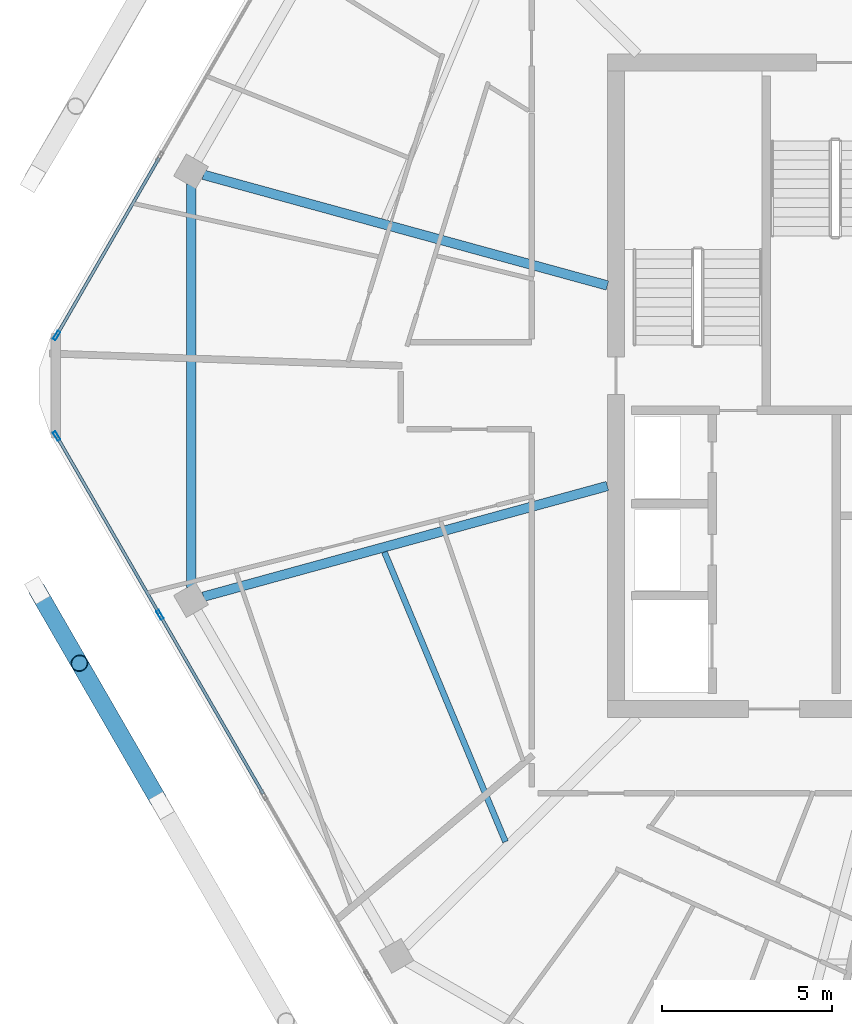
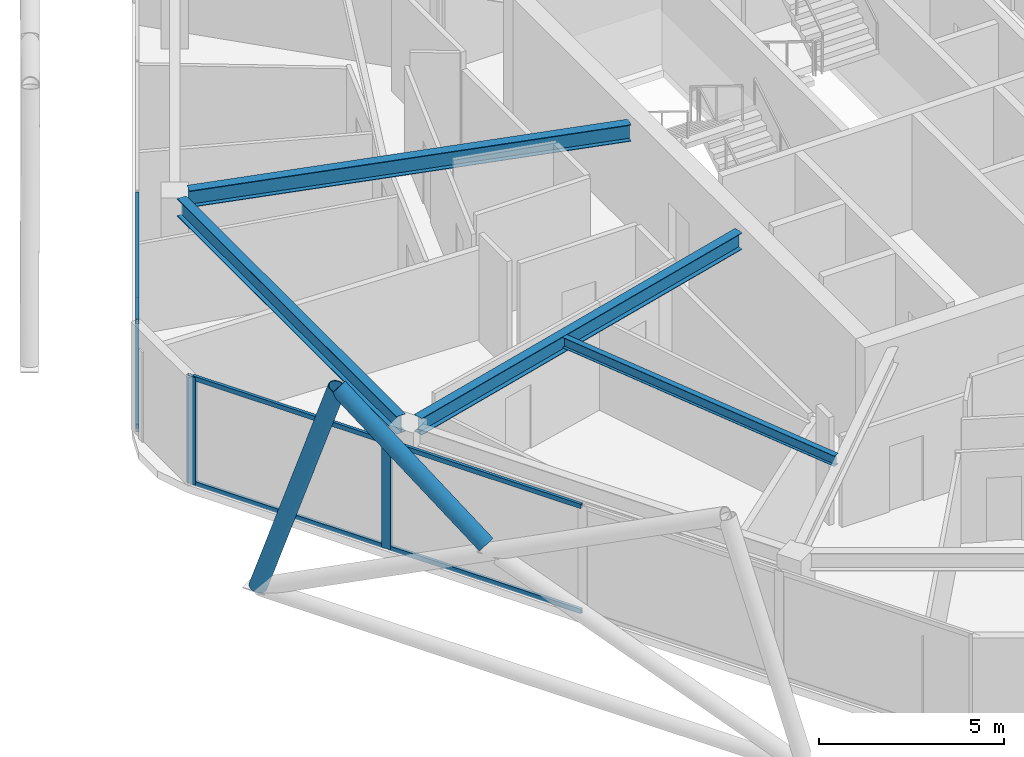
# One storey, part 5 of 23: 11 members, 4 beams, 2 elements without a shape of their own.
"""IFC4 building model written with IfcOpenShell, lengths in metres."""

import ifcopenshell
import ifcopenshell.guid

model = None  # the IFC model being written
_history = None  # IfcOwnerHistory: only IFC2X3 demands one
_inside = {}  # id of a spatial element -> (the spatial element, [elements in it])
_under = {}  # id of a project, library or spatial element -> (it, [spatial elements below it])
_declared = {}  # id of a project -> (the project, [libraries it declares])
_typed = {}  # id of a type object -> (the type object, [elements of that type])
_made_of = {}  # id of a material, layer set ... -> (it, [elements and type objects made of it])


def new_model(schema):
    """Start an empty IFC model of exactly this schema.

    Asked for "IFC4X3", IfcOpenShell would pick the latest addendum, in which some entities
    have other attributes; the version numbers below select the first issue.
    IFC2X3 requires an IfcOwnerHistory on every rooted entity: one is made here for all.
    """
    global model, _history
    if schema == "IFC4X3":
        model = ifcopenshell.file(schema_version=(4, 3, 0, 0))
    else:
        model = ifcopenshell.file(schema=schema)
    _inside.clear()
    _under.clear()
    _declared.clear()
    _typed.clear()
    _made_of.clear()
    _history = None
    if model.schema == "IFC2X3":
        org = make("IfcOrganization", Name="unknown")
        user = make(
            "IfcPersonAndOrganization",
            ThePerson=make("IfcPerson", FamilyName="unknown"),
            TheOrganization=org,
        )
        app = make(
            "IfcApplication",
            ApplicationDeveloper=org,
            Version="unknown",
            ApplicationFullName="unknown",
            ApplicationIdentifier="unknown",
        )
        _history = make(
            "IfcOwnerHistory",
            OwningUser=user,
            OwningApplication=app,
            ChangeAction="ADDED",
            CreationDate=0,
        )
    return model


def make(cls, **values):
    """One entity of the class cls with the attributes given. An attribute that is None is left unset."""
    return model.create_entity(
        cls, **{name: value for name, value in values.items() if value is not None}
    )


def rooted(cls, **values):
    """An entity with a GlobalId (a new one), such as an element, a storey or a relation."""
    return make(cls, GlobalId=ifcopenshell.guid.new(), OwnerHistory=_history, **values)


def si_unit(unit_type, name, prefix=None):
    """IfcSIUnit, for example si_unit("LENGTHUNIT", "METRE", prefix="MILLI")."""
    return make("IfcSIUnit", UnitType=unit_type, Prefix=prefix, Name=name)


def assignment(units):
    """IfcUnitAssignment: the units of a project."""
    return None if units is None else make("IfcUnitAssignment", Units=units)


def point(xyz):
    """IfcCartesianPoint."""
    return None if xyz is None else make("IfcCartesianPoint", Coordinates=xyz)


def direction(xyz):
    """IfcDirection."""
    return None if xyz is None else make("IfcDirection", DirectionRatios=xyz)


def frame(location, z_axis=None, x_axis=None):
    """IfcAxis2Placement3D, a coordinate frame: its origin and axes. An axis left out is left unset."""
    return make(
        "IfcAxis2Placement3D",
        Location=point(location),
        Axis=direction(z_axis),
        RefDirection=direction(x_axis),
    )


def frame_2d(location, x_axis=None):
    """IfcAxis2Placement2D, a coordinate frame in the plane: its origin and x axis."""
    return make(
        "IfcAxis2Placement2D", Location=point(location), RefDirection=direction(x_axis)
    )


def origin():
    """The frame at (0, 0, 0) with its axes left unset."""
    return frame((0.0, 0.0, 0.0))


def origin_2d():
    """The frame at (0, 0) in the plane with its x axis left unset."""
    return frame_2d((0.0, 0.0))


def place(relative_to, where):
    """IfcLocalPlacement: puts the frame where relative to a parent placement (None: the world)."""
    return make(
        "IfcLocalPlacement", PlacementRelTo=relative_to, RelativePlacement=where
    )


def context(
    kind, dimensions, precision=None, world=None, true_north=None, identifier=None
):
    """IfcGeometricRepresentationContext, for example the 3D "Model" context."""
    return make(
        "IfcGeometricRepresentationContext",
        ContextIdentifier=identifier,
        ContextType=kind,
        CoordinateSpaceDimension=dimensions,
        Precision=precision,
        WorldCoordinateSystem=world,
        TrueNorth=true_north,
    )


def subcontext(parent, identifier, kind, view, scale=None):
    """IfcGeometricRepresentationSubContext, for example "Body" below "Model"."""
    return make(
        "IfcGeometricRepresentationSubContext",
        ContextIdentifier=identifier,
        ContextType=kind,
        ParentContext=parent,
        TargetScale=scale,
        TargetView=view,
    )


def project(units=None, contexts=None):
    """IfcProject with its units and contexts."""
    return rooted(
        "IfcProject",
        Name="project",
        RepresentationContexts=contexts,
        UnitsInContext=assignment(units),
    )


def spatial(cls, under=None, at=None, **own):
    """A site, building, storey or space (cls), placed at a placement, below another one or the project."""
    s = rooted(cls, ObjectPlacement=at, **own)
    if under is not None:
        _under.setdefault(under.id(), (under, []))[1].append(s)
    return s


def profile(cls, at=None, kind="AREA", **sizes):
    """A parametric profile (cls). Its sizes go by their IFC names, for example OverallWidth=200.0."""
    return make(cls, ProfileType=kind, Position=at, **sizes)


def hollow_rectangle(**sizes):
    """IfcRectangleHollowProfileDef."""
    return profile("IfcRectangleHollowProfileDef", **sizes)


def hollow_circle(**sizes):
    """IfcCircleHollowProfileDef."""
    return profile("IfcCircleHollowProfileDef", **sizes)


def i_section(**sizes):
    """IfcIShapeProfileDef."""
    return profile("IfcIShapeProfileDef", **sizes)


def extrude(swept, where, along, depth):
    """IfcExtrudedAreaSolid: the profile swept, set in the frame where, extruded along a direction by depth."""
    return make(
        "IfcExtrudedAreaSolid",
        SweptArea=swept,
        Position=where,
        ExtrudedDirection=direction(along),
        Depth=depth,
    )


def shape(context_of_items, identifier, shape_type, items):
    """IfcShapeRepresentation: the items that make up one representation, for example the "Body"."""
    return make(
        "IfcShapeRepresentation",
        ContextOfItems=context_of_items,
        RepresentationIdentifier=identifier,
        RepresentationType=shape_type,
        Items=items,
    )


def material(Name=None, Category=None):
    """IfcMaterial."""
    return make("IfcMaterial", Name=Name, Category=Category)


def material_profile(
    of_material, cross_section, Name=None, Category=None, Priority=None
):
    """IfcMaterialProfile: a cross section and its material."""
    return make(
        "IfcMaterialProfile",
        Name=Name,
        Material=of_material,
        Profile=cross_section,
        Priority=Priority,
        Category=Category,
    )


def profile_set(profiles, Name=None, composite=None):
    """IfcMaterialProfileSet."""
    return make(
        "IfcMaterialProfileSet",
        Name=Name,
        MaterialProfiles=profiles,
        CompositeProfile=composite,
    )


def made_of(thing, what):
    """Note that an element or type object is made of a material, layer set ...; save() writes the relation."""
    if what is not None:
        _made_of.setdefault(what.id(), (what, []))[1].append(thing)
    return thing


def type_object(cls, material=None, **own):
    """A type object (cls), such as IfcWallType, which elements share."""
    return made_of(rooted(cls, **own), material)


def element(
    cls,
    number,
    at=None,
    inside=None,
    cuts=None,
    type_object=None,
    material=None,
    context=None,
    identifier="Body",
    shape_type=None,
    held_by="IfcProductDefinitionShape",
    body=None,
    shapes=None,
    **own,
):
    """One element of the class cls, such as IfcWall. Its Tag is "e" and its number.

    at: its placement. inside: the storey or other place that contains it. cuts: it is an
    opening in that element (IfcRelVoidsElement). A single representation is given by context,
    identifier, shape_type and body (its items); several are given by shapes. held_by: the class
    of the entity that holds the representations. save() writes the other relations.
    """
    e = rooted(cls, Tag="e%d" % number, ObjectPlacement=at, **own)
    if body is not None:
        shapes = [shape(context, identifier, shape_type, body)]
    if shapes is not None:
        e.Representation = make(held_by, Representations=shapes)
    if inside is not None:
        _inside.setdefault(inside.id(), (inside, []))[1].append(e)
    if cuts is not None:
        rooted(
            "IfcRelVoidsElement", RelatingBuildingElement=cuts, RelatedOpeningElement=e
        )
    if type_object is not None:
        _typed.setdefault(type_object.id(), (type_object, []))[1].append(e)
    return made_of(e, material)


def aggregate(whole, parts):
    """IfcRelAggregates: a whole, such as a stair, and the parts it consists of."""
    return rooted("IfcRelAggregates", RelatingObject=whole, RelatedObjects=parts)


def save(model, path):
    """Write the relations noted so far, then the file.

    IfcRelAggregates (storeys below a building ...), IfcRelContainedInSpatialStructure (elements
    in a storey), IfcRelDefinesByType, IfcRelAssociatesMaterial and IfcRelDeclares: one each for
    every whole, place, type object, material and project.
    """
    for whole, parts in _under.values():
        aggregate(whole, parts)
    for where, things in _inside.values():
        rooted(
            "IfcRelContainedInSpatialStructure",
            RelatedElements=things,
            RelatingStructure=where,
        )
    for kind, things in _typed.values():
        rooted("IfcRelDefinesByType", RelatedObjects=things, RelatingType=kind)
    for what, things in _made_of.values():
        rooted("IfcRelAssociatesMaterial", RelatedObjects=things, RelatingMaterial=what)
    for by, libraries in _declared.values():
        rooted("IfcRelDeclares", RelatingContext=by, RelatedDefinitions=libraries)
    model.write(path)


model = new_model("IFC4")

# Units and contexts
model_context = context("Model", 3, precision=1e-05, world=origin(), true_north=direction((0.0, 1.0)))
body_context = subcontext(model_context, "Body", "Model", "MODEL_VIEW")
ifc_project = project(units=[si_unit("LENGTHUNIT", "METRE"), si_unit("AREAUNIT", "SQUARE_METRE"), si_unit("VOLUMEUNIT", "CUBIC_METRE"), si_unit("PLANEANGLEUNIT", "RADIAN"), si_unit("MASSUNIT", "GRAM", prefix="KILO")], contexts=[model_context])

# Site, building, storey
site_placement = place(None, origin())
site = spatial("IfcSite", under=ifc_project, at=site_placement, CompositionType="ELEMENT")
building_placement = place(site_placement, origin())
building = spatial("IfcBuilding", under=site, at=building_placement, Name="Zuhravey Tower", CompositionType="ELEMENT")
storey_placement = place(building_placement, frame((0.0, 0.0, 346.199951171875)))
storey = spatial("IfcBuildingStorey", under=building, at=storey_placement, Name="L88", CompositionType="ELEMENT", Elevation=346.199951171875)

# Curtain wall, members
ifc_material_1 = material(Name="Thermally broken anodised aluminium", Category="aluminium")
curtain_wall_type = type_object("IfcCurtainWallType", Name="Zone 3-4 High-Rise Curtain Wall CW4", PredefinedType="NOTDEFINED", material=ifc_material_1)
curtain_wall_1_placement = place(storey_placement, origin())
curtain_wall_1 = element("IfcCurtainWall", 1, at=curtain_wall_1_placement, inside=storey, type_object=curtain_wall_type, Name="L88 CW4 CW-L88-F4-1", PredefinedType="NOTDEFINED")
ifc_material_2 = material(Name="Anodised aluminium", Category="aluminium")
ifc_material_profile_1 = material_profile(ifc_material_2, hollow_rectangle(XDim=0.090087890625, YDim=0.284912109375, WallThickness=0.0048828125, at=origin_2d()), Name="ALU-RHS-90x285x5")
ifc_profile_set_1 = profile_set([ifc_material_profile_1], Name="Anodised aluminium")
member_type_1 = type_object("IfcMemberType", Name="Curtain-Wall Mullion 90x180", PredefinedType="MULLION", material=ifc_profile_set_1)
member_1_placement = place(storey_placement, frame((12.09130859375, 25.2626953125, 0.0), z_axis=(0.0, 0.0, 1.0), x_axis=(-0.866025511541, -0.49999981336, 0.0)))
member_1 = element("IfcMember", 2, at=member_1_placement, type_object=member_type_1, Name="CW4 mullion 4", PredefinedType="MULLION", context=body_context, shape_type="SweptSolid", body=[
    extrude(hollow_rectangle(XDim=0.090087890625, YDim=0.284912109375, WallThickness=0.0048828125, at=origin_2d()), origin(), (0.0, 0.0, 1.0), 3.550048828125),
])
member_2_placement = place(storey_placement, frame((9.05419921875, 30.5234375, 0.0), z_axis=(0.0, 0.0, 1.0), x_axis=(-0.866025511541, -0.49999981336, 0.0)))
member_2 = element("IfcMember", 3, at=member_2_placement, type_object=member_type_1, Name="CW4 mullion 5", PredefinedType="MULLION", context=body_context, shape_type="SweptSolid", body=[
    extrude(hollow_rectangle(XDim=0.090087890625, YDim=0.284912109375, WallThickness=0.0048828125, at=origin_2d()), origin(), (0.0, 0.0, 1.0), 3.550048828125),
])

# Curtain wall, member
curtain_wall_2_placement = place(storey_placement, origin())
curtain_wall_2 = element("IfcCurtainWall", 4, at=curtain_wall_2_placement, inside=storey, type_object=curtain_wall_type, Name="L88 CW4 CW-L88-F3-1", PredefinedType="NOTDEFINED")
member_3_placement = place(storey_placement, frame((9.05419921875, 33.4765625, 0.0), z_axis=(0.0, 0.0, 1.0), x_axis=(-0.866025511541, 0.49999981336, 0.0)))
member_3 = element("IfcMember", 5, at=member_3_placement, type_object=member_type_1, Name="CW4 mullion 1", PredefinedType="MULLION", context=body_context, shape_type="SweptSolid", body=[
    extrude(hollow_rectangle(XDim=0.090087890625, YDim=0.284912109375, WallThickness=0.0048828125, at=origin_2d()), origin(), (0.0, 0.0, 1.0), 3.550048828125),
])

# Member
ifc_material_profile_2 = material_profile(ifc_material_2, hollow_rectangle(XDim=0.090087890625, YDim=0.14990234375, WallThickness=0.0048828125, at=origin_2d()), Name="ALU-RHS-90x150x5")
ifc_profile_set_2 = profile_set([ifc_material_profile_2], Name="Anodised aluminium")
member_type_2 = type_object("IfcMemberType", Name="Curtain-Wall Transom 90x150", PredefinedType="USERDEFINED", material=ifc_profile_set_2)
member_4_placement = place(storey_placement, frame((15.128662109375, 20.001953125, 0.045166015625), z_axis=(-0.499988837749, 0.866031848217, 0.0), x_axis=(-0.866031848217, -0.499988837749, 0.0)))
member_4 = element("IfcMember", 6, at=member_4_placement, type_object=member_type_2, Name="CW4 transom 3.1", ObjectType="TRANSOM", PredefinedType="USERDEFINED", context=body_context, shape_type="SweptSolid", body=[
    extrude(hollow_rectangle(XDim=0.090087890625, YDim=0.14990234375, WallThickness=0.0048828125, at=origin_2d()), origin(), (0.0, 0.0, 1.0), 6.029541015625),
])

member_5_placement = place(storey_placement, frame((15.128662109375, 20.001953125, 3.505126953125), z_axis=(-0.499988837749, 0.866031848217, 0.0), x_axis=(-0.866031848217, -0.499988837749, 0.0)))
member_5 = element("IfcMember", 7, at=member_5_placement, type_object=member_type_2, Name="CW4 transom 3.2", ObjectType="TRANSOM", PredefinedType="USERDEFINED", context=body_context, shape_type="SweptSolid", body=[
    extrude(hollow_rectangle(XDim=0.090087890625, YDim=0.14990234375, WallThickness=0.0048828125, at=origin_2d()), origin(), (0.0, 0.0, 1.0), 6.029541015625),
])

member_6_placement = place(storey_placement, frame((12.06884765625, 25.3017578125, 0.045166015625), z_axis=(-0.499982594807, 0.866035452444, 0.0), x_axis=(-0.866035452444, -0.499982594807, 0.0)))
member_6 = element("IfcMember", 8, at=member_6_placement, type_object=member_type_2, Name="CW4 transom 4.1", ObjectType="TRANSOM", PredefinedType="USERDEFINED", context=body_context, shape_type="SweptSolid", body=[
    extrude(hollow_rectangle(XDim=0.090087890625, YDim=0.14990234375, WallThickness=0.0048828125, at=origin_2d()), origin(), (0.0, 0.0, 1.0), 5.984619140625),
])

member_7_placement = place(storey_placement, frame((12.06884765625, 25.3017578125, 3.505126953125), z_axis=(-0.499982594807, 0.866035452444, 0.0), x_axis=(-0.866035452444, -0.499982594807, 0.0)))
member_7 = element("IfcMember", 9, at=member_7_placement, type_object=member_type_2, Name="CW4 transom 4.2", ObjectType="TRANSOM", PredefinedType="USERDEFINED", context=body_context, shape_type="SweptSolid", body=[
    extrude(hollow_rectangle(XDim=0.090087890625, YDim=0.14990234375, WallThickness=0.0048828125, at=origin_2d()), origin(), (0.0, 0.0, 1.0), 5.984619140625),
])

aggregate(curtain_wall_1, [member_1, member_2, member_4, member_5, member_6, member_7])

member_8_placement = place(storey_placement, frame((9.07666015625, 33.515380859375, 0.045166015625), z_axis=(0.499982594807, 0.866035452444, 0.0), x_axis=(-0.866035452444, 0.499982594807, 0.0)))
member_8 = element("IfcMember", 10, at=member_8_placement, type_object=member_type_2, Name="CW4 transom 1.1", ObjectType="TRANSOM", PredefinedType="USERDEFINED", context=body_context, shape_type="SweptSolid", body=[
    extrude(hollow_rectangle(XDim=0.090087890625, YDim=0.14990234375, WallThickness=0.0048828125, at=origin_2d()), origin(), (0.0, 0.0, 1.0), 5.984619140625),
])

member_9_placement = place(storey_placement, frame((9.07666015625, 33.515380859375, 3.505126953125), z_axis=(0.499982594807, 0.866035452444, 0.0), x_axis=(-0.866035452444, 0.499982594807, 0.0)))
member_9 = element("IfcMember", 11, at=member_9_placement, type_object=member_type_2, Name="CW4 transom 1.2", ObjectType="TRANSOM", PredefinedType="USERDEFINED", context=body_context, shape_type="SweptSolid", body=[
    extrude(hollow_rectangle(XDim=0.090087890625, YDim=0.14990234375, WallThickness=0.0048828125, at=origin_2d()), origin(), (0.0, 0.0, 1.0), 5.984619140625),
])

aggregate(curtain_wall_2, [member_3, member_8, member_9])

# Members
ifc_material_3 = material(Name="Steel SM355", Category="steel")
ifc_material_profile_3 = material_profile(ifc_material_3, hollow_circle(Radius=0.25390625, WallThickness=0.02490234375, at=origin_2d()), Name="CHS-508.0x25")
ifc_profile_set_3 = profile_set([ifc_material_profile_3], Name="Steel SM355")
member_type_3 = type_object("IfcMemberType", Name="Exoskeleton Zone 4 Diagrid CHS508x25", PredefinedType="BRACE", material=ifc_profile_set_3)
member_10_placement = place(storey_placement, frame((8.489013671875, 25.982421875, -0.447998046875), z_axis=(0.157768747613, -0.273243502631, 0.948918864048), x_axis=(0.866009569118, 0.500027425445, 0.0)))
element("IfcMember", 12, at=member_10_placement, inside=storey, type_object=member_type_3, Name="L88 Face 4 Diagrid Brace 1", PredefinedType="BRACE", context=body_context, shape_type="SweptSolid", body=[
    extrude(hollow_circle(Radius=0.25390625, WallThickness=0.02490234375, at=origin_2d()), origin(), (0.0, 0.0, 1.0), 7.833251953125),
])
member_11_placement = place(storey_placement, frame((12.0439453125, 19.824951171875, 3.417724609375), z_axis=(-0.395514596918, 0.685063822079, 0.611764467179), x_axis=(-0.866029336897, -0.499993187587, 0.0)))
element("IfcMember", 13, at=member_11_placement, inside=storey, type_object=member_type_3, Name="L88 Face 4 Split Diagrid Brace 3B", PredefinedType="BRACE", context=body_context, shape_type="SweptSolid", body=[
    extrude(hollow_circle(Radius=0.25390625, WallThickness=0.02490234375, at=origin_2d()), origin(), (0.0, 0.0, 1.0), 5.822021484375),
])

# Beams
ifc_material_profile_4 = material_profile(ifc_material_3, i_section(OverallWidth=0.280029296875, OverallDepth=0.580078125, WebThickness=0.011962890625, FlangeThickness=0.01904296875, at=origin_2d()), Name="H-580x280x12x19")
ifc_profile_set_4 = profile_set([ifc_material_profile_4], Name="Steel SM355")
beam_type_1 = type_object("IfcBeamType", Name="Perimeter Ring Beam H580x280", PredefinedType="BEAM", material=ifc_profile_set_4)
beam_1_placement = place(storey_placement, frame((13.006591796875, 37.92431640625, 3.260009765625), z_axis=(0.0, -1.0, 0.0), x_axis=(1.0, 0.0, 0.0)))
element("IfcBeam", 14, at=beam_1_placement, inside=storey, type_object=beam_type_1, Name="L88 PB4 BM-L88-PB-06", PredefinedType="BEAM", context=body_context, shape_type="SweptSolid", body=[
    extrude(i_section(OverallWidth=0.280029296875, OverallDepth=0.580078125, WebThickness=0.011962890625, FlangeThickness=0.01904296875, at=origin_2d()), origin(), (0.0, 0.0, 1.0), 11.8486328125),
])
ifc_material_profile_5 = material_profile(ifc_material_3, i_section(OverallWidth=0.280029296875, OverallDepth=0.550048828125, WebThickness=0.010986328125, FlangeThickness=0.01806640625, at=origin_2d()), Name="H-550x280x11x18")
ifc_profile_set_5 = profile_set([ifc_material_profile_5], Name="Steel SM355")
beam_type_2 = type_object("IfcBeamType", Name="Radial Primary Girder H550x280", PredefinedType="BEAM", material=ifc_profile_set_5)
for number, where, z_axis, x_axis, name in (
    (15, (25.2470703125, 34.947265625, 3.275146484375), (-0.964428588077, 0.264343523658, 0.0), (-0.264343523658, -0.964428588077, 0.0), "L88 RG4 BM-L88-RAD-06"),
    (16, (25.2470703125, 29.052734375, 3.275146484375), (-0.964428588077, -0.264343523658, 0.0), (0.264343523658, -0.964428588077, 0.0), "L88 RG4 BM-L88-RAD-07"),
):
    element("IfcBeam", number, at=place(storey_placement, frame(where, z_axis=z_axis, x_axis=x_axis)), inside=storey, type_object=beam_type_2, Name=name, PredefinedType="BEAM", context=body_context, shape_type="SweptSolid", body=[
        extrude(i_section(OverallWidth=0.280029296875, OverallDepth=0.550048828125, WebThickness=0.010986328125, FlangeThickness=0.01806640625, at=origin_2d()), origin(), (0.0, 0.0, 1.0), 12.31396484375),
    ])
ifc_material_profile_6 = material_profile(ifc_material_3, i_section(OverallWidth=0.175048828125, OverallDepth=0.35009765625, WebThickness=0.007080078125, FlangeThickness=0.010986328125, at=origin_2d()), Name="H-350x175x7x11")
ifc_profile_set_6 = profile_set([ifc_material_profile_6], Name="Steel SM355")
beam_type_3 = type_object("IfcBeamType", Name="Secondary Floor Joist H350x175", PredefinedType="JOIST", material=ifc_profile_set_6)
beam_2_placement = place(storey_placement, frame((18.692626953125, 27.108154296875, 3.375), z_axis=(0.385657891576, -0.922641853953, 0.0), x_axis=(0.922641853953, 0.385657891576, 0.0)))
element("IfcBeam", 17, at=beam_2_placement, inside=storey, type_object=beam_type_3, Name="L88 SJ3 BM-L88-SJ-07-1", PredefinedType="JOIST", context=body_context, shape_type="SweptSolid", body=[
    extrude(i_section(OverallWidth=0.175048828125, OverallDepth=0.35009765625, WebThickness=0.007080078125, FlangeThickness=0.010986328125, at=origin_2d()), origin(), (0.0, 0.0, 1.0), 9.226806640625),
])

save(model, "model.ifc")
